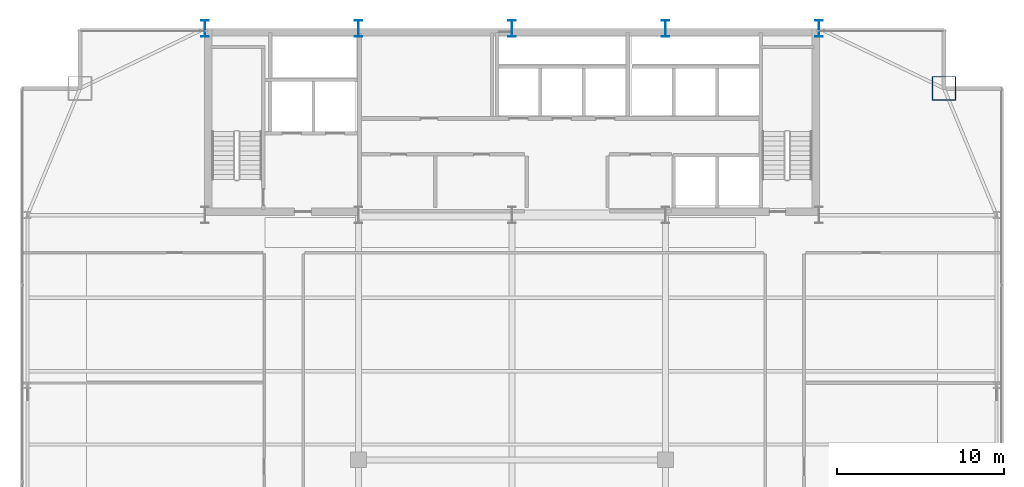
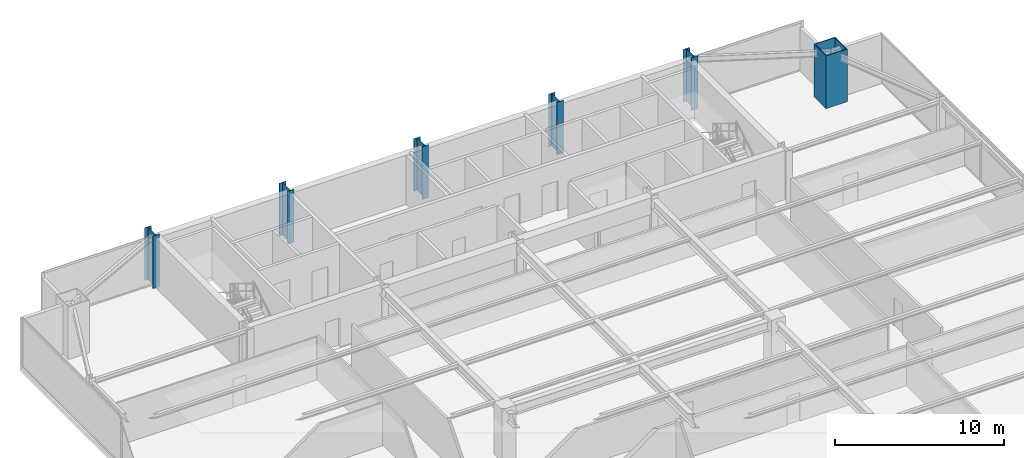
# One storey, part 3 of 33: 6 columns.
"""IFC4 building model written with IfcOpenShell, lengths in metres."""

from ifc_helpers import new_model, si_unit, direction, frame, origin, origin_2d, place, context, subcontext, project, spatial, hollow_rectangle, i_section, extrude, source, transform, mapped, material, material_profile, profile_set, type_object, type_shapes, element, save


model = new_model("IFC4")

# Units and contexts
model_context = context("Model", 3, precision=1e-05, world=origin(), true_north=direction((0.0, 1.0)))
body_context = subcontext(model_context, "Body", "Model", "MODEL_VIEW")
ifc_project = project(units=[si_unit("LENGTHUNIT", "METRE"), si_unit("AREAUNIT", "SQUARE_METRE"), si_unit("VOLUMEUNIT", "CUBIC_METRE"), si_unit("PLANEANGLEUNIT", "RADIAN"), si_unit("MASSUNIT", "GRAM", prefix="KILO")], contexts=[model_context])

# Site, building, storey
site_placement = place(None, origin())
site = spatial("IfcSite", under=ifc_project, at=site_placement, CompositionType="ELEMENT")
building_placement = place(site_placement, origin())
building = spatial("IfcBuilding", under=site, at=building_placement, Name="Varnel Quay Broadcast Tower", CompositionType="ELEMENT")
storey_placement = place(building_placement, frame((0.0, 0.0, 129.60009765625)))
storey = spatial("IfcBuildingStorey", under=building, at=storey_placement, Name="L31", CompositionType="ELEMENT", Elevation=129.60009765625)

# Columns
ifc_material = material(Name="Structural Steel CSA G40.21 350WT", Category="steel")
ifc_material_profile_1 = material_profile(ifc_material, i_section(OverallWidth=0.449951171875, OverallDepth=1.0, WebThickness=0.01611328125, FlangeThickness=0.030029296875, FilletRadius=0.01611328125, at=origin_2d()), Name="WWF1000X362")
ifc_profile_set_1 = profile_set([ifc_material_profile_1], Name="Structural Steel CSA G40.21 350WT")
column_type_1 = type_object("IfcColumnType", Name="Col_WWF1000X362", PredefinedType="COLUMN", material=ifc_profile_set_1)
shared_shape_1 = source(origin(), body_context, "Body", "SweptSolid", [
    extrude(i_section(OverallWidth=0.449951171875, OverallDepth=1.0, WebThickness=0.01611328125, FlangeThickness=0.030029296875, FilletRadius=0.01611328125, at=origin_2d()), origin(), (0.0, 0.0, 1.0), 3.7998046875),
])
type_shapes(column_type_1, [shared_shape_1])
for number, where, z_axis, x_axis, name in (
    (1, (15.60009765625, 46.800048828125, 0.0), (0.0, 0.0, 1.0), (1.0, 0.0, 0.0), "L31 Column CC-N1"),
    (2, (24.800048828125, 46.800048828125, 0.0), (0.0, 0.0, 1.0), (1.0, 0.0, 0.0), "L31 Column CC-N2"),
    (3, (34.0, 46.800048828125, 0.0), (0.0, 0.0, 1.0), (1.0, 0.0, 0.0), "L31 Column CC-N3"),
    (4, (43.199951171875, 46.800048828125, 0.0), (0.0, 0.0, 1.0), (1.0, 0.0, 0.0), "L31 Column CC-N4"),
    (5, (52.39990234375, 46.800048828125, 0.0), (0.0, 0.0, 1.0), (1.0, 0.0, 0.0), "L31 Column CC-N5"),
):
    element("IfcColumn", number, at=place(storey_placement, frame(where, z_axis=z_axis, x_axis=x_axis)), inside=storey, type_object=column_type_1, Name=name, PredefinedType="COLUMN", context=body_context, shape_type="MappedRepresentation", body=[
        mapped(shared_shape_1, transform((0.0, 0.0, 0.0), x_axis=(1.0, 0.0, 0.0), y_axis=(0.0, 1.0, 0.0), z_axis=(0.0, 0.0, 1.0), scale=1.0)),
    ])
ifc_material_profile_2 = material_profile(ifc_material, hollow_rectangle(XDim=1.449951171875, YDim=1.449951171875, WallThickness=0.054931640625, at=origin_2d()), Name="BOX1450X1450X55")
ifc_profile_set_2 = profile_set([ifc_material_profile_2], Name="Structural Steel CSA G40.21 350WT")
column_type_2 = type_object("IfcColumnType", Name="Col_BOX1450X1450X55", PredefinedType="COLUMN", material=ifc_profile_set_2)
shared_shape_2 = source(origin(), body_context, "Body", "SweptSolid", [
    extrude(hollow_rectangle(XDim=1.449951171875, YDim=1.449951171875, WallThickness=0.054931640625, at=origin_2d()), origin(), (0.0, 0.0, 1.0), 3.7998046875),
])
type_shapes(column_type_2, [shared_shape_2])
column_placement = place(storey_placement, frame((59.89990234375, 43.199951171875, 0.0), z_axis=(0.0, 0.0, 1.0), x_axis=(1.0, 0.0, 0.0)))
element("IfcColumn", 6, at=column_placement, inside=storey, type_object=column_type_2, Name="L31 Column MC-NE", PredefinedType="COLUMN", context=body_context, shape_type="MappedRepresentation", body=[
    mapped(shared_shape_2, transform((0.0, 0.0, 0.0), x_axis=(1.0, 0.0, 0.0), y_axis=(0.0, 1.0, 0.0), z_axis=(0.0, 0.0, 1.0), scale=1.0)),
])

save(model, "model.ifc")
